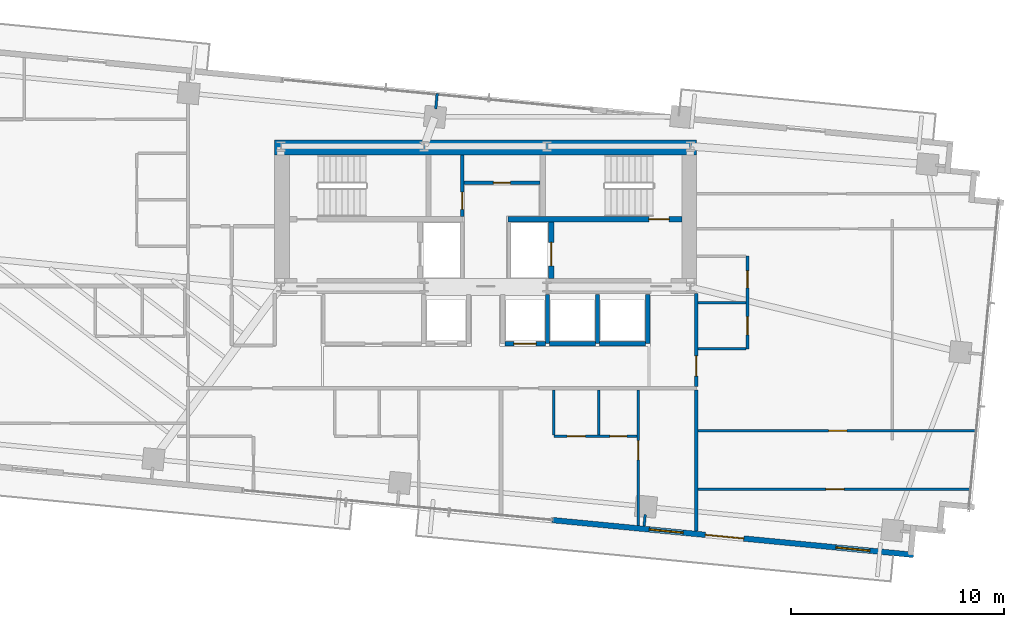
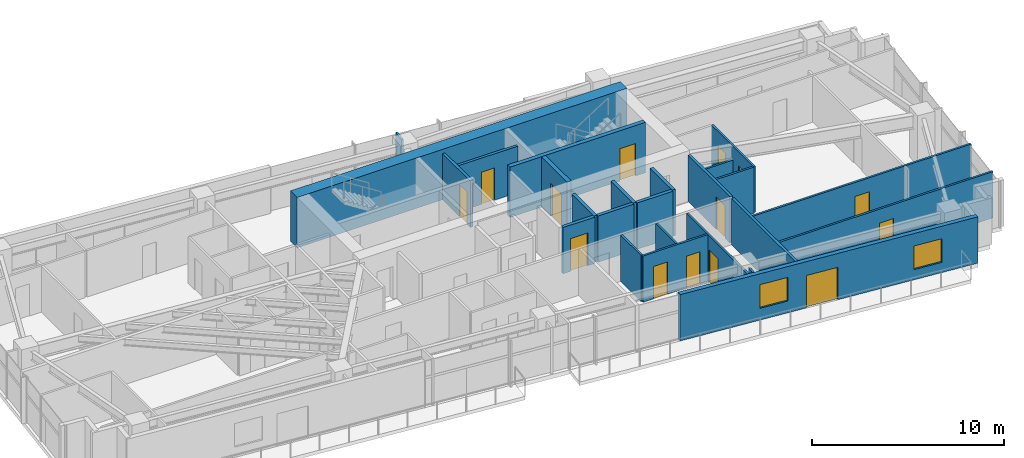
# One storey, part 17 of 20: 25 walls, 14 doors, 2 windows, 16 openings.
"""IFC4 building model written with IfcOpenShell, lengths in metres."""

from ifc_helpers import new_model, si_unit, direction, frame, frame_2d, origin, place, context, subcontext, project, spatial, rectangle, extrude, source, transform, mapped, material, layer, layer_set, type_object, type_shapes, element, fill, save


model = new_model("IFC4")

# Units and contexts
model_context = context("Model", 3, precision=1e-05, world=origin(), true_north=direction((0.0, 1.0)))
body_context = subcontext(model_context, "Body", "Model", "MODEL_VIEW")
ifc_project = project(units=[si_unit("LENGTHUNIT", "METRE"), si_unit("AREAUNIT", "SQUARE_METRE"), si_unit("VOLUMEUNIT", "CUBIC_METRE"), si_unit("PLANEANGLEUNIT", "RADIAN"), si_unit("MASSUNIT", "GRAM", prefix="KILO")], contexts=[model_context])

# Site, building, storey
site_placement = place(None, origin())
site = spatial("IfcSite", under=ifc_project, at=site_placement, CompositionType="ELEMENT")
building_placement = place(site_placement, origin())
building = spatial("IfcBuilding", under=site, at=building_placement, Name="Astriad Promenade Condominiums", CompositionType="ELEMENT")
storey_placement = place(building_placement, frame((0.0, 0.0, 131.0)))
storey = spatial("IfcBuildingStorey", under=building, at=storey_placement, Name="L37", CompositionType="ELEMENT", Elevation=131.0)

# Wall
ifc_material_1 = material(Name="Concrete C60/75", Category="concrete")
ifc_layer_1 = layer(ifc_material_1, 0.699951171875)
ifc_layer_set_1 = layer_set([ifc_layer_1], Name="Concrete C60/75")
wall_type_1 = type_object("IfcWallType", Name="CW-SHEAR-700", PredefinedType="SHEAR", material=ifc_layer_set_1)
wall_1_placement = place(storey_placement, frame((26.10009765625, 23.949951171875, 0.0), z_axis=(0.0, 0.0, 1.0), x_axis=(1.0, 0.0, 0.0)))
element("IfcWall", 1, at=wall_1_placement, inside=storey, type_object=wall_type_1, Name="CW-CORE-N-L37", PredefinedType="SHEAR", context=body_context, shape_type="SweptSolid", body=[
    extrude(rectangle(XDim=19.7998046875, YDim=0.699951171875, at=frame_2d((9.89990234375, 0.0))), origin(), (0.0, 0.0, 1.0), 3.199951171875),
])

# Wall, opening, door
ifc_material_2 = material(Name="Concrete C50/60", Category="concrete")
ifc_layer_2 = layer(ifc_material_2, 0.25)
ifc_layer_set_2 = layer_set([ifc_layer_2], Name="Concrete C50/60")
wall_type_2 = type_object("IfcWallType", Name="WALL-CORE-INT-250", PredefinedType="SOLIDWALL", material=ifc_layer_set_2)
wall_2_placement = place(storey_placement, frame((37.050048828125, 20.574951171875, 0.0), z_axis=(0.0, 0.0, 1.0), x_axis=(1.0, 0.0, 0.0)))
wall_2 = element("IfcWall", 2, at=wall_2_placement, inside=storey, type_object=wall_type_2, Name="CW-INT-H2-L37", PredefinedType="SOLIDWALL", context=body_context, shape_type="SweptSolid", body=[
    extrude(rectangle(XDim=8.14794921875, YDim=0.25, at=frame_2d((4.073974609375, 0.0))), origin(), (0.0, 0.0, 1.0), 3.199951171875),
])
opening_1_placement = place(wall_2_placement, frame((6.60009765625, 0.0, 0.0)))
opening_1 = element("IfcOpeningElement", 3, at=opening_1_placement, cuts=wall_2, Name="Opening FD90-ST-095", PredefinedType="OPENING", context=body_context, shape_type="SweptSolid", body=[
    extrude(rectangle(XDim=0.949951171875, YDim=2.06005859375, at=frame_2d((0.47509765625, 1.030029296875))), frame((0.0, 0.135009765625, 0.0), z_axis=(0.0, -1.0, 0.0), x_axis=(1.0, 0.0, 0.0)), (0.0, 0.0, 1.0), 0.27001953125),
])
ifc_material_3 = material(Name="Fire-Rated Hollow Metal Stair Door")
door_type_1 = type_object("IfcDoorType", Name="FD90-ST-095", OperationType="NOTDEFINED", PredefinedType="DOOR", material=ifc_material_3)
shared_shape_1 = source(origin(), body_context, "Body", "SweptSolid", [
    extrude(rectangle(XDim=0.949951171875, YDim=2.06005859375, at=frame_2d((0.47509765625, 1.030029296875))), frame((0.0, 0.02490234375, 0.0), z_axis=(0.0, -1.0, 0.0), x_axis=(1.0, 0.0, 0.0)), (0.0, 0.0, 1.0), 0.050048828125),
])
type_shapes(door_type_1, [shared_shape_1])
door_1_placement = place(opening_1_placement, origin())
door_1 = element("IfcDoor", 4, at=door_1_placement, inside=storey, type_object=door_type_1, Name="D-ST2-L37", OperationType="SINGLE_SWING_RIGHT", OverallHeight=2.06005859375, OverallWidth=0.949951171875, PredefinedType="DOOR", context=body_context, shape_type="MappedRepresentation", body=[
    mapped(shared_shape_1, transform((0.0, 0.0, 0.0), scale=1.0)),
])
fill(opening_1, door_1)

wall_3_placement = place(storey_placement, frame((39.074951171875, 17.802001953125, 0.0), z_axis=(0.0, 0.0, 1.0), x_axis=(0.0, 1.0, 0.0)))
wall_3 = element("IfcWall", 5, at=wall_3_placement, inside=storey, type_object=wall_type_2, Name="CW-FFL2-E-L37", PredefinedType="SOLIDWALL", context=body_context, shape_type="SweptSolid", body=[
    extrude(rectangle(XDim=2.64599609375, YDim=0.25, at=frame_2d((1.322998046875, 0.0))), origin(), (0.0, 0.0, 1.0), 3.199951171875),
])
opening_2_placement = place(wall_3_placement, frame((0.597900390625, 0.0, 0.0)))
opening_2 = element("IfcOpeningElement", 6, at=opening_2_placement, cuts=wall_3, Name="Opening LD-FFL-1122", PredefinedType="OPENING", context=body_context, shape_type="SweptSolid", body=[
    extrude(rectangle(XDim=1.10009765625, YDim=2.080078125, at=frame_2d((0.550048828125, 1.0400390625))), frame((0.0, 0.135009765625, 0.0), z_axis=(0.0, -1.0, 0.0), x_axis=(1.0, 0.0, 0.0)), (0.0, 0.0, 1.0), 0.27001953125),
])
ifc_material_4 = material(Name="Brushed Stainless Steel Fire Elevator Landing Door", Category="steel")
door_type_2 = type_object("IfcDoorType", Name="LD-FFL-1122", OperationType="NOTDEFINED", PredefinedType="DOOR", material=ifc_material_4)
shared_shape_2 = source(origin(), body_context, "Body", "SweptSolid", [
    extrude(rectangle(XDim=1.10009765625, YDim=2.080078125, at=frame_2d((0.550048828125, 1.0400390625))), frame((0.0, 0.02490234375, 0.0), z_axis=(0.0, -1.0, 0.0), x_axis=(1.0, 0.0, 0.0)), (0.0, 0.0, 1.0), 0.050048828125),
])
type_shapes(door_type_2, [shared_shape_2])
door_2_placement = place(opening_2_placement, origin())
door_2 = element("IfcDoor", 7, at=door_2_placement, inside=storey, type_object=door_type_2, Name="Elevator Landing Door FFL-2 (L37)", OperationType="SLIDING_TO_RIGHT", OverallHeight=2.080078125, OverallWidth=1.10009765625, PredefinedType="DOOR", context=body_context, shape_type="MappedRepresentation", body=[
    mapped(shared_shape_2, transform((0.0, 0.0, 0.0), scale=1.0)),
])
fill(opening_2, door_2)

ifc_material_5 = material(Name="Fire-Rated Gypsum Partition")
ifc_layer_3 = layer(ifc_material_5, 0.159912109375)
ifc_layer_set_3 = layer_set([ifc_layer_3], Name="Fire-Rated Gypsum Partition")
wall_type_3 = type_object("IfcWallType", Name="WALL-CORR-160", PredefinedType="PARTITIONING", material=ifc_layer_set_3)
wall_4_placement = place(storey_placement, frame((34.89990234375, 20.701904296875, 0.0), z_axis=(0.0, 0.0, 1.0), x_axis=(0.0, 1.0, 0.0)))
wall_4 = element("IfcWall", 8, at=wall_4_placement, inside=storey, type_object=wall_type_3, Name="CW-AUX-W-L37", PredefinedType="PARTITIONING", context=body_context, shape_type="SweptSolid", body=[
    extrude(rectangle(XDim=2.89599609375, YDim=0.159912109375, at=frame_2d((1.447998046875, 0.0))), origin(), (0.0, 0.0, 1.0), 2.93994140625),
])
opening_3_placement = place(wall_4_placement, frame((0.347900390625, 0.0, 0.0)))
opening_3 = element("IfcOpeningElement", 9, at=opening_3_placement, cuts=wall_4, Name="Opening FD60-SV-080", PredefinedType="OPENING", context=body_context, shape_type="SweptSolid", body=[
    extrude(rectangle(XDim=0.800048828125, YDim=2.050048828125, at=frame_2d((0.39990234375, 1.02490234375))), frame((0.0, 0.08984375, 0.0), z_axis=(0.0, -1.0, 0.0), x_axis=(1.0, 0.0, 0.0)), (0.0, 0.0, 1.0), 0.179931640625),
])
ifc_material_6 = material(Name="Fire-Rated Riser Closet Door")
door_type_3 = type_object("IfcDoorType", Name="FD60-SV-080", OperationType="NOTDEFINED", PredefinedType="DOOR", material=ifc_material_6)
shared_shape_3 = source(origin(), body_context, "Body", "SweptSolid", [
    extrude(rectangle(XDim=0.800048828125, YDim=2.050048828125, at=frame_2d((0.39990234375, 1.02490234375))), frame((0.0, 0.02490234375, 0.0), z_axis=(0.0, -1.0, 0.0), x_axis=(1.0, 0.0, 0.0)), (0.0, 0.0, 1.0), 0.050048828125),
])
type_shapes(door_type_3, [shared_shape_3])
door_3_placement = place(opening_3_placement, origin())
door_3 = element("IfcDoor", 10, at=door_3_placement, inside=storey, type_object=door_type_3, Name="D-AUX1-L37", OperationType="SINGLE_SWING_LEFT", OverallHeight=2.050048828125, OverallWidth=0.800048828125, PredefinedType="DOOR", context=body_context, shape_type="MappedRepresentation", body=[
    mapped(shared_shape_3, transform((0.0, 0.0, 0.0), scale=1.0)),
])
fill(opening_3, door_3)

wall_5_placement = place(storey_placement, frame((34.98193359375, 22.300048828125, 0.0), z_axis=(0.0, 0.0, 1.0), x_axis=(1.0, 0.0, 0.0)))
wall_5 = element("IfcWall", 11, at=wall_5_placement, inside=storey, type_object=wall_type_3, Name="CW-AUX-N-L37", PredefinedType="PARTITIONING", context=body_context, shape_type="SweptSolid", body=[
    extrude(rectangle(XDim=3.566162109375, YDim=0.159912109375, at=frame_2d((1.783203125, 0.0))), origin(), (0.0, 0.0, 1.0), 2.93994140625),
])
opening_4_placement = place(wall_5_placement, frame((1.3779296875, 0.0, 0.0)))
opening_4 = element("IfcOpeningElement", 12, at=opening_4_placement, cuts=wall_5, Name="Opening FD60-SV-080", PredefinedType="OPENING", context=body_context, shape_type="SweptSolid", body=[
    extrude(rectangle(XDim=0.800048828125, YDim=2.050048828125, at=frame_2d((0.39990234375, 1.02490234375))), frame((0.0, 0.08984375, 0.0), z_axis=(0.0, -1.0, 0.0), x_axis=(1.0, 0.0, 0.0)), (0.0, 0.0, 1.0), 0.179931640625),
])
door_4_placement = place(opening_4_placement, origin())
door_4 = element("IfcDoor", 13, at=door_4_placement, inside=storey, type_object=door_type_3, Name="D-AUX2-L37", OperationType="SINGLE_SWING_RIGHT", OverallHeight=2.050048828125, OverallWidth=0.800048828125, PredefinedType="DOOR", context=body_context, shape_type="MappedRepresentation", body=[
    mapped(shared_shape_3, transform((0.0, 0.0, 0.0), scale=1.0)),
])
fill(opening_4, door_4)

# Wall
wall_6_placement = place(storey_placement, frame((45.8798828125, 5.95849609375, 0.0), z_axis=(0.0, 0.0, 1.0), x_axis=(0.0, 1.0, 0.0)))
element("IfcWall", 14, at=wall_6_placement, inside=storey, type_object=wall_type_3, Name="PT-COR-E-L37", PredefinedType="PARTITIONING", context=body_context, shape_type="SweptSolid", body=[
    extrude(rectangle(XDim=6.609619140625, YDim=0.159912109375, at=frame_2d((3.3046875, 0.0))), origin(), (0.0, 0.0, 1.0), 2.93994140625),
])

# Wall, opening, door
wall_7_placement = place(storey_placement, frame((45.8798828125, 12.73193359375, 0.0), z_axis=(0.0, 0.0, 1.0), x_axis=(0.0, 1.0, 0.0)))
wall_7 = element("IfcWall", 15, at=wall_7_placement, inside=storey, type_object=wall_type_3, Name="PT-COR-E-L37-S2", PredefinedType="PARTITIONING", context=body_context, shape_type="SweptSolid", body=[
    extrude(rectangle(XDim=4.365966796875, YDim=0.159912109375, at=frame_2d((2.18310546875, 0.0))), origin(), (0.0, 0.0, 1.0), 2.93994140625),
])
opening_5_placement = place(wall_7_placement, frame((0.492919921875, 0.0, 0.0)))
opening_5 = element("IfcOpeningElement", 16, at=opening_5_placement, cuts=wall_7, Name="Opening FD60-APT-095", PredefinedType="OPENING", context=body_context, shape_type="SweptSolid", body=[
    extrude(rectangle(XDim=0.949951171875, YDim=2.06005859375, at=frame_2d((0.47509765625, 1.030029296875))), frame((0.0, 0.08984375, 0.0), z_axis=(0.0, -1.0, 0.0), x_axis=(1.0, 0.0, 0.0)), (0.0, 0.0, 1.0), 0.179931640625),
])
ifc_material_7 = material(Name="Solid-Core Acoustic Timber Residence Entry Door", Category="wood")
door_type_4 = type_object("IfcDoorType", Name="FD60-APT-095", OperationType="NOTDEFINED", PredefinedType="DOOR", material=ifc_material_7)
shared_shape_4 = source(origin(), body_context, "Body", "SweptSolid", [
    extrude(rectangle(XDim=0.949951171875, YDim=2.06005859375, at=frame_2d((0.47509765625, 1.030029296875))), frame((0.0, 0.02490234375, 0.0), z_axis=(0.0, -1.0, 0.0), x_axis=(1.0, 0.0, 0.0)), (0.0, 0.0, 1.0), 0.050048828125),
])
type_shapes(door_type_4, [shared_shape_4])
door_5_placement = place(opening_5_placement, origin())
door_5 = element("IfcDoor", 17, at=door_5_placement, inside=storey, type_object=door_type_4, Name="D-ENT-L37-E1", OperationType="SINGLE_SWING_RIGHT", OverallHeight=2.06005859375, OverallWidth=0.949951171875, PredefinedType="DOOR", context=body_context, shape_type="MappedRepresentation", body=[
    mapped(shared_shape_4, transform((0.0, 0.0, 0.0), scale=1.0)),
])
fill(opening_5, door_5)

# Wall, openings, door, windows
ifc_material_8 = material(Name="Precast concrete C50/60", Category="concrete")
ifc_layer_4 = layer(ifc_material_8, 0.260009765625)
ifc_layer_set_4 = layer_set([ifc_layer_4], Name="Precast concrete C50/60")
wall_type_4 = type_object("IfcWallType", Name="WALL-EXT-TWR-260", PredefinedType="STANDARD", material=ifc_layer_set_4)
wall_8_placement = place(storey_placement, frame((56.061279296875, 4.845458984375, 0.0), z_axis=(0.0, 0.0, 1.0), x_axis=(-0.995395976631, 0.095848055311, 0.0)))
wall_8 = element("IfcWall", 18, at=wall_8_placement, inside=storey, type_object=wall_type_4, Name="W-EXT-L37-S1", PredefinedType="STANDARD", context=body_context, shape_type="SweptSolid", body=[
    extrude(rectangle(XDim=17.010009765625, YDim=0.260009765625, at=frame_2d((8.5048828125, 0.0))), origin(), (0.0, 0.0, 1.0), 2.93994140625),
])
opening_6_placement = place(wall_8_placement, frame((7.9990234375, 0.0, 0.0)))
opening_6 = element("IfcOpeningElement", 19, at=opening_6_placement, cuts=wall_8, Name="Opening BD-1822-SLD", PredefinedType="OPENING", context=body_context, shape_type="SweptSolid", body=[
    extrude(rectangle(XDim=1.800048828125, YDim=2.06005859375, at=frame_2d((0.89990234375, 1.030029296875))), frame((0.0, 0.139892578125, 0.0), z_axis=(0.0, -1.0, 0.0), x_axis=(1.0, 0.0, 0.0)), (0.0, 0.0, 1.0), 0.280029296875),
])
opening_7_placement = place(wall_8_placement, frame((2.050048828125, 0.0, 0.64990234375)))
opening_7 = element("IfcOpeningElement", 20, at=opening_7_placement, cuts=wall_8, Name="Opening WIN-TWR-1620", PredefinedType="OPENING", context=body_context, shape_type="SweptSolid", body=[
    extrude(rectangle(XDim=1.60009765625, YDim=1.5, at=frame_2d((0.800048828125, 0.75))), frame((0.0, 0.139892578125, 0.0), z_axis=(0.0, -1.0, 0.0), x_axis=(1.0, 0.0, 0.0)), (0.0, 0.0, 1.0), 0.280029296875),
])
opening_8_placement = place(wall_8_placement, frame((10.85205078125, 0.0, 0.75)))
opening_8 = element("IfcOpeningElement", 21, at=opening_8_placement, cuts=wall_8, Name="Opening WIN-TWR-1620", PredefinedType="OPENING", context=body_context, shape_type="SweptSolid", body=[
    extrude(rectangle(XDim=1.60009765625, YDim=1.5, at=frame_2d((0.800048828125, 0.75))), frame((0.0, 0.139892578125, 0.0), z_axis=(0.0, -1.0, 0.0), x_axis=(1.0, 0.0, 0.0)), (0.0, 0.0, 1.0), 0.280029296875),
])
ifc_material_9 = material(Name="Thermally Broken Aluminium Sliding Balcony Door", Category="aluminium")
door_type_5 = type_object("IfcDoorType", Name="BD-1822-SLD", OperationType="NOTDEFINED", PredefinedType="DOOR", material=ifc_material_9)
shared_shape_5 = source(origin(), body_context, "Body", "SweptSolid", [
    extrude(rectangle(XDim=1.800048828125, YDim=2.06005859375, at=frame_2d((0.89990234375, 1.030029296875))), frame((0.0, 0.02490234375, 0.0), z_axis=(0.0, -1.0, 0.0), x_axis=(1.0, 0.0, 0.0)), (0.0, 0.0, 1.0), 0.050048828125),
])
type_shapes(door_type_5, [shared_shape_5])
door_6_placement = place(opening_6_placement, origin())
door_6 = element("IfcDoor", 22, at=door_6_placement, inside=storey, type_object=door_type_5, Name="BD-L37-SE", OperationType="SLIDING_TO_RIGHT", OverallHeight=2.06005859375, OverallWidth=1.800048828125, PredefinedType="DOOR", context=body_context, shape_type="MappedRepresentation", body=[
    mapped(shared_shape_5, transform((0.0, 0.0, 0.0), scale=1.0)),
])
fill(opening_6, door_6)
ifc_material_10 = material(Name="Dark Tinted Triple-Glazed Aluminium Window", Category="aluminium")
window_type = type_object("IfcWindowType", Name="WIN-TWR-1620", PartitioningType="SINGLE_PANEL", PredefinedType="WINDOW", material=ifc_material_10)
shared_shape_6 = source(origin(), body_context, "Body", "SweptSolid", [
    extrude(rectangle(XDim=1.60009765625, YDim=1.5, at=frame_2d((0.800048828125, 0.75))), frame((0.0, 0.030029296875, 0.0), z_axis=(0.0, -1.0, 0.0), x_axis=(1.0, 0.0, 0.0)), (0.0, 0.0, 1.0), 0.06005859375),
])
type_shapes(window_type, [shared_shape_6])
window_1_placement = place(opening_7_placement, origin())
window_1 = element("IfcWindow", 23, at=window_1_placement, inside=storey, type_object=window_type, Name="WIN-L37-SE", OverallHeight=1.5, OverallWidth=1.60009765625, PartitioningType="SINGLE_PANEL", PredefinedType="WINDOW", context=body_context, shape_type="MappedRepresentation", body=[
    mapped(shared_shape_6, transform((0.0, 0.0, 0.0), scale=1.0)),
])
fill(opening_7, window_1)
window_2_placement = place(opening_8_placement, origin())
window_2 = element("IfcWindow", 24, at=window_2_placement, inside=storey, type_object=window_type, Name="WIN-DW-L37-S2-BD1", OverallHeight=1.5, OverallWidth=1.60009765625, PartitioningType="SINGLE_PANEL", PredefinedType="WINDOW", context=body_context, shape_type="MappedRepresentation", body=[
    mapped(shared_shape_6, transform((0.0, 0.0, 0.0), scale=1.0)),
])
fill(opening_8, window_2)

# Wall, opening, door
ifc_material_11 = material(Name="Acoustic Metal-Stud Gypsum Partition")
ifc_layer_5 = layer(ifc_material_11, 0.1201171875)
ifc_layer_set_5 = layer_set([ifc_layer_5], Name="Acoustic Metal-Stud Gypsum Partition")
wall_type_5 = type_object("IfcWallType", Name="WALL-PART-120", PredefinedType="PARTITIONING", material=ifc_layer_set_5)
wall_9_placement = place(storey_placement, frame((43.14990234375, 6.22119140625, 0.0), z_axis=(0.0, 0.0, 1.0), x_axis=(0.0, 1.0, 0.0)))
wall_9 = element("IfcWall", 25, at=wall_9_placement, inside=storey, type_object=wall_type_5, Name="PT-L37-S2-BD1", PredefinedType="PARTITIONING", context=body_context, shape_type="SweptSolid", body=[
    extrude(rectangle(XDim=6.346923828125, YDim=0.1201171875, at=frame_2d((3.17333984375, 0.0))), origin(), (0.0, 0.0, 1.0), 2.93994140625),
])
opening_9_placement = place(wall_9_placement, frame((3.07861328125, 0.0, 0.0)))
opening_9 = element("IfcOpeningElement", 26, at=opening_9_placement, cuts=wall_9, Name="Opening D-INT-090", PredefinedType="OPENING", context=body_context, shape_type="SweptSolid", body=[
    extrude(rectangle(XDim=0.89990234375, YDim=2.050048828125, at=frame_2d((0.449951171875, 1.02490234375))), frame((0.0, 0.070068359375, 0.0), z_axis=(0.0, -1.0, 0.0), x_axis=(1.0, 0.0, 0.0)), (0.0, 0.0, 1.0), 0.14013671875),
])
ifc_material_12 = material(Name="Painted Solid-Core Timber Bedroom Door", Category="wood")
door_type_6 = type_object("IfcDoorType", Name="D-INT-090", OperationType="NOTDEFINED", PredefinedType="DOOR", material=ifc_material_12)
shared_shape_7 = source(origin(), body_context, "Body", "SweptSolid", [
    extrude(rectangle(XDim=0.89990234375, YDim=2.050048828125, at=frame_2d((0.449951171875, 1.02490234375))), frame((0.0, 0.02490234375, 0.0), z_axis=(0.0, -1.0, 0.0), x_axis=(1.0, 0.0, 0.0)), (0.0, 0.0, 1.0), 0.050048828125),
])
type_shapes(door_type_6, [shared_shape_7])
door_7_placement = place(opening_9_placement, origin())
door_7 = element("IfcDoor", 27, at=door_7_placement, inside=storey, type_object=door_type_6, Name="D-BD1-L37-S2", OperationType="SINGLE_SWING_RIGHT", OverallHeight=2.050048828125, OverallWidth=0.89990234375, PredefinedType="DOOR", context=body_context, shape_type="MappedRepresentation", body=[
    mapped(shared_shape_7, transform((0.0, 0.0, 0.0), scale=1.0)),
])
fill(opening_9, door_7)

# Wall, openings, doors
wall_10_placement = place(storey_placement, frame((39.199951171875, 10.39990234375, 0.0), z_axis=(0.0, 0.0, 1.0), x_axis=(1.0, 0.0, 0.0)))
wall_10 = element("IfcWall", 28, at=wall_10_placement, inside=storey, type_object=wall_type_5, Name="PT-L37-S2-PS", PredefinedType="PARTITIONING", context=body_context, shape_type="SweptSolid", body=[
    extrude(rectangle(XDim=3.887939453125, YDim=0.1201171875, at=frame_2d((1.94384765625, 0.0))), origin(), (0.0, 0.0, 1.0), 2.93994140625),
])
opening_10_placement = place(wall_10_placement, frame((0.625, 0.0, 0.0)))
opening_10 = element("IfcOpeningElement", 29, at=opening_10_placement, cuts=wall_10, Name="Opening D-INT-085", PredefinedType="OPENING", context=body_context, shape_type="SweptSolid", body=[
    extrude(rectangle(XDim=0.85009765625, YDim=2.050048828125, at=frame_2d((0.425048828125, 1.02490234375))), frame((0.0, 0.070068359375, 0.0), z_axis=(0.0, -1.0, 0.0), x_axis=(1.0, 0.0, 0.0)), (0.0, 0.0, 1.0), 0.14013671875),
])
opening_11_placement = place(wall_10_placement, frame((2.625, 0.0, 0.0)))
opening_11 = element("IfcOpeningElement", 30, at=opening_11_placement, cuts=wall_10, Name="Opening D-WET-080", PredefinedType="OPENING", context=body_context, shape_type="SweptSolid", body=[
    extrude(rectangle(XDim=0.800048828125, YDim=2.02001953125, at=frame_2d((0.39990234375, 1.010009765625))), frame((0.0, 0.070068359375, 0.0), z_axis=(0.0, -1.0, 0.0), x_axis=(1.0, 0.0, 0.0)), (0.0, 0.0, 1.0), 0.14013671875),
])
ifc_material_13 = material(Name="Moisture-Resistant Timber Bathroom Door", Category="wood")
door_type_7 = type_object("IfcDoorType", Name="D-WET-080", OperationType="NOTDEFINED", PredefinedType="DOOR", material=ifc_material_13)
shared_shape_8 = source(origin(), body_context, "Body", "SweptSolid", [
    extrude(rectangle(XDim=0.800048828125, YDim=2.02001953125, at=frame_2d((0.39990234375, 1.010009765625))), frame((0.0, 0.02490234375, 0.0), z_axis=(0.0, -1.0, 0.0), x_axis=(1.0, 0.0, 0.0)), (0.0, 0.0, 1.0), 0.050048828125),
])
type_shapes(door_type_7, [shared_shape_8])
door_8_placement = place(opening_11_placement, origin())
door_8 = element("IfcDoor", 31, at=door_8_placement, inside=storey, type_object=door_type_7, Name="D-BTH-L37-S2", OperationType="SINGLE_SWING_RIGHT", OverallHeight=2.02001953125, OverallWidth=0.800048828125, PredefinedType="DOOR", context=body_context, shape_type="MappedRepresentation", body=[
    mapped(shared_shape_8, transform((0.0, 0.0, 0.0), scale=1.0)),
])
fill(opening_11, door_8)
ifc_material_14 = material(Name="Painted Solid-Core Timber Room Door", Category="wood")
door_type_8 = type_object("IfcDoorType", Name="D-INT-085", OperationType="NOTDEFINED", PredefinedType="DOOR", material=ifc_material_14)
shared_shape_9 = source(origin(), body_context, "Body", "SweptSolid", [
    extrude(rectangle(XDim=0.85009765625, YDim=2.050048828125, at=frame_2d((0.425048828125, 1.02490234375))), frame((0.0, 0.02490234375, 0.0), z_axis=(0.0, -1.0, 0.0), x_axis=(1.0, 0.0, 0.0)), (0.0, 0.0, 1.0), 0.050048828125),
])
type_shapes(door_type_8, [shared_shape_9])
door_9_placement = place(opening_10_placement, origin())
door_9 = element("IfcDoor", 32, at=door_9_placement, inside=storey, type_object=door_type_8, Name="D-KIT-L37-S2", OperationType="SINGLE_SWING_LEFT", OverallHeight=2.050048828125, OverallWidth=0.85009765625, PredefinedType="DOOR", context=body_context, shape_type="MappedRepresentation", body=[
    mapped(shared_shape_9, transform((0.0, 0.0, 0.0), scale=1.0)),
])
fill(opening_10, door_9)

# Walls
for number, where, z_axis, x_axis, name in (
    (33, (41.300048828125, 10.4619140625, 0.0), (0.0, 0.0, 1.0), (0.0, 1.0, 0.0), "PT-L37-S2-PBK"),
    (34, (39.199951171875, 10.4619140625, 0.0), (0.0, 0.0, 1.0), (0.0, 1.0, 0.0), "PT-L37-S2-PKW"),
):
    element("IfcWall", number, at=place(storey_placement, frame(where, z_axis=z_axis, x_axis=x_axis)), inside=storey, type_object=wall_type_5, Name=name, PredefinedType="PARTITIONING", context=body_context, shape_type="SweptSolid", body=[
        extrude(rectangle(XDim=2.106201171875, YDim=0.1201171875, at=frame_2d((1.05322265625, 0.0))), origin(), (0.0, 0.0, 1.0), 2.93994140625),
    ])

# Wall, openings, doors
wall_11_placement = place(storey_placement, frame((48.280029296875, 14.5, 0.0), z_axis=(0.0, 0.0, 1.0), x_axis=(0.0, 1.0, 0.0)))
wall_11 = element("IfcWall", 35, at=wall_11_placement, inside=storey, type_object=wall_type_5, Name="PT-L37-E1-PV", PredefinedType="PARTITIONING", context=body_context, shape_type="SweptSolid", body=[
    extrude(rectangle(XDim=4.35009765625, YDim=0.1201171875, at=frame_2d((2.175048828125, 0.0))), origin(), (0.0, 0.0, 1.0), 2.93994140625),
])
opening_12_placement = place(wall_11_placement, frame((0.6630859375, 0.0, 0.0)))
opening_12 = element("IfcOpeningElement", 36, at=opening_12_placement, cuts=wall_11, Name="Opening D-INT-085", PredefinedType="OPENING", context=body_context, shape_type="SweptSolid", body=[
    extrude(rectangle(XDim=0.85009765625, YDim=2.050048828125, at=frame_2d((0.425048828125, 1.02490234375))), frame((0.0, 0.070068359375, 0.0), z_axis=(0.0, -1.0, 0.0), x_axis=(1.0, 0.0, 0.0)), (0.0, 0.0, 1.0), 0.14013671875),
])
opening_13_placement = place(wall_11_placement, frame((2.863037109375, 0.0, 0.0)))
opening_13 = element("IfcOpeningElement", 37, at=opening_13_placement, cuts=wall_11, Name="Opening D-WET-080", PredefinedType="OPENING", context=body_context, shape_type="SweptSolid", body=[
    extrude(rectangle(XDim=0.800048828125, YDim=2.02001953125, at=frame_2d((0.39990234375, 1.010009765625))), frame((0.0, 0.070068359375, 0.0), z_axis=(0.0, -1.0, 0.0), x_axis=(1.0, 0.0, 0.0)), (0.0, 0.0, 1.0), 0.14013671875),
])
door_10_placement = place(opening_13_placement, origin())
door_10 = element("IfcDoor", 38, at=door_10_placement, inside=storey, type_object=door_type_7, Name="D-BTH-L37-E1", OperationType="SINGLE_SWING_RIGHT", OverallHeight=2.02001953125, OverallWidth=0.800048828125, PredefinedType="DOOR", context=body_context, shape_type="MappedRepresentation", body=[
    mapped(shared_shape_8, transform((0.0, 0.0, 0.0), scale=1.0)),
])
fill(opening_13, door_10)
door_11_placement = place(opening_12_placement, origin())
door_11 = element("IfcDoor", 39, at=door_11_placement, inside=storey, type_object=door_type_8, Name="D-KIT-L37-E1", OperationType="SINGLE_SWING_LEFT", OverallHeight=2.050048828125, OverallWidth=0.85009765625, PredefinedType="DOOR", context=body_context, shape_type="MappedRepresentation", body=[
    mapped(shared_shape_9, transform((0.0, 0.0, 0.0), scale=1.0)),
])
fill(opening_12, door_11)

# Walls
wall_12_placement = place(storey_placement, frame((45.9619140625, 16.675048828125, 0.0), z_axis=(0.0, 0.0, 1.0), x_axis=(1.0, 0.0, 0.0)))
element("IfcWall", 40, at=wall_12_placement, inside=storey, type_object=wall_type_5, Name="PT-L37-E1-PM", PredefinedType="PARTITIONING", context=body_context, shape_type="SweptSolid", body=[
    extrude(rectangle(XDim=2.256103515625, YDim=0.1201171875, at=frame_2d((1.1279296875, 0.0))), origin(), (0.0, 0.0, 1.0), 2.06298828125),
])
wall_13_placement = place(storey_placement, frame((45.9619140625, 14.5, 0.0), z_axis=(0.0, 0.0, 1.0), x_axis=(1.0, 0.0, 0.0)))
element("IfcWall", 41, at=wall_13_placement, inside=storey, type_object=wall_type_5, Name="PT-L37-E1-PS", PredefinedType="PARTITIONING", context=body_context, shape_type="SweptSolid", body=[
    extrude(rectangle(XDim=2.256103515625, YDim=0.1201171875, at=frame_2d((1.1279296875, 0.0))), origin(), (0.0, 0.0, 1.0), 2.93994140625),
])

# Wall, opening, door
wall_14_placement = place(storey_placement, frame((45.9619140625, 7.931884765625, 0.0), z_axis=(0.0, 0.0, 1.0), x_axis=(1.0, 0.0, 0.0)))
wall_14 = element("IfcWall", 42, at=wall_14_placement, inside=storey, type_object=wall_type_5, Name="PT-L37-E1-B2", PredefinedType="PARTITIONING", context=body_context, shape_type="SweptSolid", body=[
    extrude(rectangle(XDim=12.827880859375, YDim=0.1201171875, at=frame_2d((6.4140625, 0.0))), origin(), (0.0, 0.0, 1.0), 2.93994140625),
])
opening_14_placement = place(wall_14_placement, frame((5.9951171875, 0.0, 0.0)))
opening_14 = element("IfcOpeningElement", 43, at=opening_14_placement, cuts=wall_14, Name="Opening D-INT-085", PredefinedType="OPENING", context=body_context, shape_type="SweptSolid", body=[
    extrude(rectangle(XDim=0.85009765625, YDim=2.050048828125, at=frame_2d((0.425048828125, 1.02490234375))), frame((0.0, 0.070068359375, 0.0), z_axis=(0.0, -1.0, 0.0), x_axis=(1.0, 0.0, 0.0)), (0.0, 0.0, 1.0), 0.14013671875),
])
door_12_placement = place(opening_14_placement, origin())
door_12 = element("IfcDoor", 44, at=door_12_placement, inside=storey, type_object=door_type_8, Name="D-BD2-L37-E1", OperationType="SINGLE_SWING_RIGHT", OverallHeight=2.050048828125, OverallWidth=0.85009765625, PredefinedType="DOOR", context=body_context, shape_type="MappedRepresentation", body=[
    mapped(shared_shape_9, transform((0.0, 0.0, 0.0), scale=1.0)),
])
fill(opening_14, door_12)

wall_15_placement = place(storey_placement, frame((45.9619140625, 10.6640625, 0.0), z_axis=(0.0, 0.0, 1.0), x_axis=(1.0, 0.0, 0.0)))
wall_15 = element("IfcWall", 45, at=wall_15_placement, inside=storey, type_object=wall_type_5, Name="PT-L37-E1-WDS1", PredefinedType="PARTITIONING", context=body_context, shape_type="SweptSolid", body=[
    extrude(rectangle(XDim=13.0908203125, YDim=0.1201171875, at=frame_2d((6.54541015625, 0.0))), origin(), (0.0, 0.0, 1.0), 2.93994140625),
])
opening_15_placement = place(wall_15_placement, frame((6.126953125, 0.0, 0.0)))
opening_15 = element("IfcOpeningElement", 46, at=opening_15_placement, cuts=wall_15, Name="Opening D-INT-085", PredefinedType="OPENING", context=body_context, shape_type="SweptSolid", body=[
    extrude(rectangle(XDim=0.85009765625, YDim=2.050048828125, at=frame_2d((0.425048828125, 1.02490234375))), frame((0.0, 0.070068359375, 0.0), z_axis=(0.0, -1.0, 0.0), x_axis=(1.0, 0.0, 0.0)), (0.0, 0.0, 1.0), 0.14013671875),
])
door_13_placement = place(opening_15_placement, origin())
door_13 = element("IfcDoor", 47, at=door_13_placement, inside=storey, type_object=door_type_8, Name="D-WDS1-L37-E1", OperationType="SINGLE_SWING_LEFT", OverallHeight=2.050048828125, OverallWidth=0.85009765625, PredefinedType="DOOR", context=body_context, shape_type="MappedRepresentation", body=[
    mapped(shared_shape_9, transform((0.0, 0.0, 0.0), scale=1.0)),
])
fill(opening_15, door_13)

# Walls
wall_16_placement = place(storey_placement, frame((43.48388671875, 6.7294921875, 0.0), z_axis=(0.0, 0.0, 1.0), x_axis=(-0.095772948675, -0.995403205893, 0.0)))
element("IfcWall", 48, at=wall_16_placement, inside=storey, type_object=wall_type_5, Name="PT-PIL-L37-PC04-11", PredefinedType="PARTITIONING", context=body_context, shape_type="SweptSolid", body=[
    extrude(rectangle(XDim=0.537841796875, YDim=0.1201171875, at=frame_2d((0.26904296875, 0.0))), origin(), (0.0, 0.0, 1.0), 2.93994140625),
])
wall_17_placement = place(storey_placement, frame((33.66259765625, 25.758544921875, 0.0), z_axis=(0.0, 0.0, 1.0), x_axis=(0.095977354523, 0.995383517755, 0.0)))
element("IfcWall", 49, at=wall_17_placement, inside=storey, type_object=wall_type_5, Name="PT-PIL-L37-PC08-15", PredefinedType="PARTITIONING", context=body_context, shape_type="SweptSolid", body=[
    extrude(rectangle(XDim=0.719970703125, YDim=0.1201171875, at=frame_2d((0.35986328125, 0.0))), origin(), (0.0, 0.0, 1.0), 2.93994140625),
])
ifc_material_15 = material(Name="Gypsum Shaftliner Assembly")
ifc_layer_6 = layer(ifc_material_15, 0.199951171875)
ifc_layer_set_6 = layer_set([ifc_layer_6], Name="Gypsum Shaftliner Assembly")
wall_type_6 = type_object("IfcWallType", Name="WALL-SHAFT-200", PredefinedType="PARTITIONING", material=ifc_layer_set_6)
wall_18_placement = place(storey_placement, frame((38.89990234375, 14.75, 0.0), z_axis=(0.0, 0.0, 1.0), x_axis=(0.0, 1.0, 0.0)))
element("IfcWall", 50, at=wall_18_placement, inside=storey, type_object=wall_type_6, Name="PL-MH-DIV-L37", PredefinedType="PARTITIONING", context=body_context, shape_type="SweptSolid", body=[
    extrude(rectangle(XDim=2.300048828125, YDim=0.199951171875, at=frame_2d((1.14990234375, 0.0))), origin(), (0.0, 0.0, 1.0), 2.93994140625),
])

# Wall, opening, door
wall_19_placement = place(storey_placement, frame((36.902099609375, 14.75, 0.0), z_axis=(0.0, 0.0, 1.0), x_axis=(1.0, 0.0, 0.0)))
wall_19 = element("IfcWall", 51, at=wall_19_placement, inside=storey, type_object=wall_type_6, Name="PL-M2-F-L37", PredefinedType="PARTITIONING", context=body_context, shape_type="SweptSolid", body=[
    extrude(rectangle(XDim=1.89599609375, YDim=0.199951171875, at=frame_2d((0.947998046875, 0.0))), origin(), (0.0, 0.0, 1.0), 2.93994140625),
])
opening_16_placement = place(wall_19_placement, frame((0.423095703125, 0.0, 0.0)))
opening_16 = element("IfcOpeningElement", 52, at=opening_16_placement, cuts=wall_19, Name="Opening LD-PL-10522", PredefinedType="OPENING", context=body_context, shape_type="SweptSolid", body=[
    extrude(rectangle(XDim=1.050048828125, YDim=2.080078125, at=frame_2d((0.52490234375, 1.0400390625))), frame((0.0, 0.10986328125, 0.0), z_axis=(0.0, -1.0, 0.0), x_axis=(1.0, 0.0, 0.0)), (0.0, 0.0, 1.0), 0.219970703125),
])
ifc_material_16 = material(Name="Brushed Bronze Passenger Elevator Landing Door")
door_type_9 = type_object("IfcDoorType", Name="LD-PL-10522", OperationType="NOTDEFINED", PredefinedType="DOOR", material=ifc_material_16)
shared_shape_10 = source(origin(), body_context, "Body", "SweptSolid", [
    extrude(rectangle(XDim=1.050048828125, YDim=2.080078125, at=frame_2d((0.52490234375, 1.0400390625))), frame((0.0, 0.02490234375, 0.0), z_axis=(0.0, -1.0, 0.0), x_axis=(1.0, 0.0, 0.0)), (0.0, 0.0, 1.0), 0.050048828125),
])
type_shapes(door_type_9, [shared_shape_10])
door_14_placement = place(opening_16_placement, origin())
door_14 = element("IfcDoor", 53, at=door_14_placement, inside=storey, type_object=door_type_9, Name="Elevator Landing Door PL-M2 (L37)", OperationType="SLIDING_TO_RIGHT", OverallHeight=2.080078125, OverallWidth=1.050048828125, PredefinedType="DOOR", context=body_context, shape_type="MappedRepresentation", body=[
    mapped(shared_shape_10, transform((0.0, 0.0, 0.0), scale=1.0)),
])
fill(opening_16, door_14)

# Walls
for number, where, z_axis, x_axis, name in (
    (54, (41.25, 14.75, 0.0), (0.0, 0.0, 1.0), (0.0, 1.0, 0.0), "PL-H-DIV-L37"),
    (55, (43.60009765625, 14.75, 0.0), (0.0, 0.0, 1.0), (0.0, 1.0, 0.0), "PL-E-OUT-L37"),
):
    element("IfcWall", number, at=place(storey_placement, frame(where, z_axis=z_axis, x_axis=x_axis)), inside=storey, type_object=wall_type_6, Name=name, PredefinedType="PARTITIONING", context=body_context, shape_type="SweptSolid", body=[
        extrude(rectangle(XDim=2.300048828125, YDim=0.199951171875, at=frame_2d((1.14990234375, 0.0))), origin(), (0.0, 0.0, 1.0), 2.93994140625),
    ])
for number, where, z_axis, x_axis, name in (
    (56, (39.001953125, 14.75, 0.0), (0.0, 0.0, 1.0), (1.0, 0.0, 0.0), "PL-H-FRT-L37"),
    (57, (41.35205078125, 14.75, 0.0), (0.0, 0.0, 1.0), (1.0, 0.0, 0.0), "PL-H-FRT-L37-S2"),
):
    element("IfcWall", number, at=place(storey_placement, frame(where, z_axis=z_axis, x_axis=x_axis)), inside=storey, type_object=wall_type_6, Name=name, PredefinedType="PARTITIONING", context=body_context, shape_type="SweptSolid", body=[
        extrude(rectangle(XDim=2.14599609375, YDim=0.199951171875, at=frame_2d((1.072998046875, 0.0))), origin(), (0.0, 0.0, 1.0), 2.93994140625),
    ])

save(model, "model.ifc")
